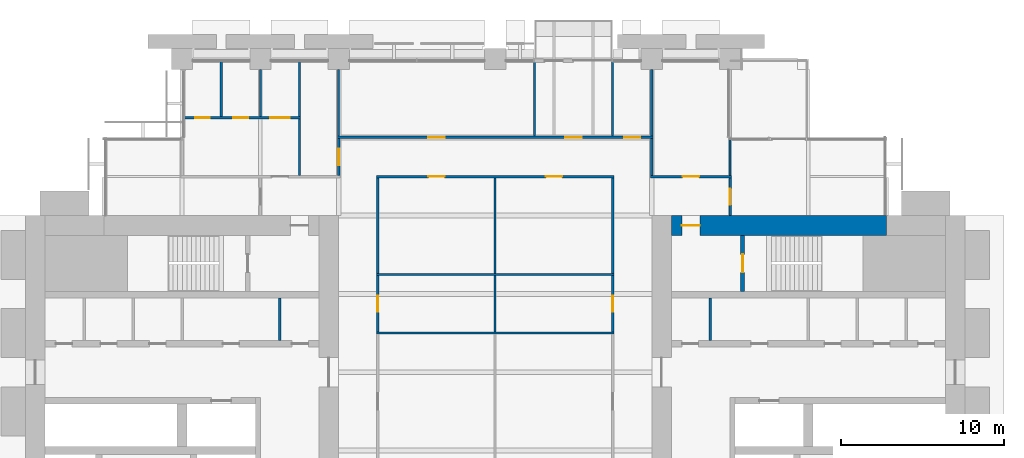
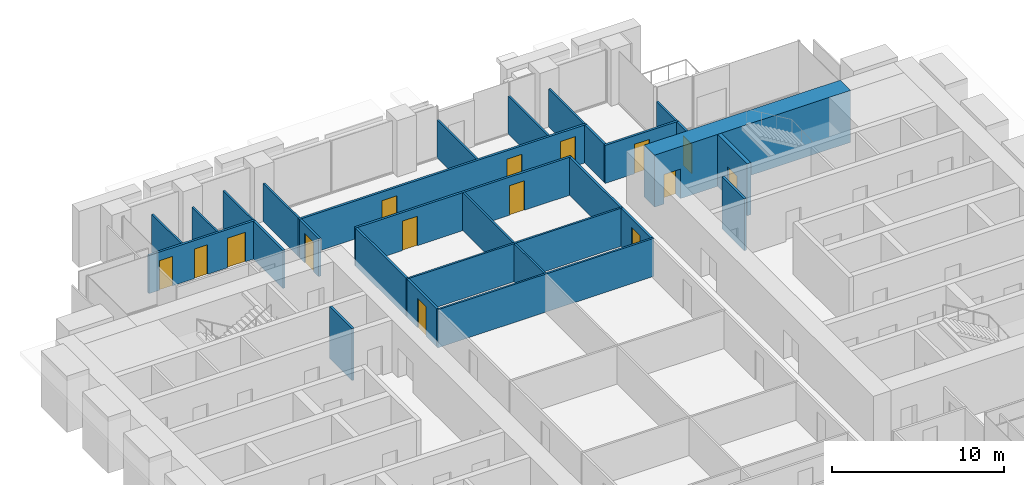
# One storey, part 12 of 15: 28 walls, 15 doors, 15 openings.
"""IFC4 building model written with IfcOpenShell, lengths in metres."""

from ifc_helpers import new_model, si_unit, direction, frame, frame_2d, origin, place, context, subcontext, project, spatial, rectangle, extrude, material, layer, layer_set, type_object, element, fill, save


model = new_model("IFC4")

# Units and contexts
model_context = context("Model", 3, precision=1e-05, world=origin(), true_north=direction((0.0, 1.0)))
body_context = subcontext(model_context, "Body", "Model", "MODEL_VIEW")
ifc_project = project(units=[si_unit("LENGTHUNIT", "METRE"), si_unit("AREAUNIT", "SQUARE_METRE"), si_unit("VOLUMEUNIT", "CUBIC_METRE"), si_unit("PLANEANGLEUNIT", "RADIAN"), si_unit("MASSUNIT", "GRAM", prefix="KILO")], contexts=[model_context])

# Site, building, storey
site_placement = place(None, origin())
site = spatial("IfcSite", under=ifc_project, at=site_placement, CompositionType="ELEMENT")
building_placement = place(site_placement, origin())
building = spatial("IfcBuilding", under=site, at=building_placement, Name="Baori Bourse Tower", CompositionType="ELEMENT")
storey_placement = place(building_placement, frame((0.0, 0.0, 83.0)))
storey = spatial("IfcBuildingStorey", under=building, at=storey_placement, Name="L18", CompositionType="ELEMENT", Elevation=83.0)

# Walls
ifc_material_1 = material(Name="Blockwork partition", Category="masonry")
ifc_layer_1 = layer(ifc_material_1, 0.14990234375)
ifc_layer_set_1 = layer_set([ifc_layer_1], Name="Core partition 150")
wall_type_1 = type_object("IfcWallType", Name="Core partition 150", PredefinedType="PARTITIONING", material=ifc_layer_set_1)
for number, where, z_axis, x_axis, name in (
    (1, (15.60009765625, 30.75, 0.0), (0.0, 0.0, 1.0), (0.0, 1.0, 0.0), "Partition wall W21"),
    (2, (42.0, 30.75, 0.0), (0.0, 0.0, 1.0), (0.0, 1.0, 0.0), "Partition wall E21"),
):
    element("IfcWall", number, at=place(storey_placement, frame(where, z_axis=z_axis, x_axis=x_axis)), inside=storey, type_object=wall_type_1, Name=name, PredefinedType="PARTITIONING", context=body_context, shape_type="SweptSolid", body=[
        extrude(rectangle(XDim=2.60009765625, YDim=0.14990234375, at=frame_2d((1.300048828125, 0.0))), origin(), (0.0, 0.0, 1.0), 3.699951171875),
    ])

# Wall, opening, door
ifc_material_2 = material(Name="Concrete f'c 70 MPa", Category="concrete")
ifc_layer_2 = layer(ifc_material_2, 1.199951171875)
ifc_layer_set_2 = layer_set([ifc_layer_2], Name="Core wall 1200 f'c 70")
wall_type_2 = type_object("IfcWallType", Name="Core wall 1200 f'c 70", PredefinedType="SHEAR", material=ifc_layer_set_2)
wall_1_placement = place(storey_placement, frame((39.60009765625, 37.800048828125, 0.0), z_axis=(0.0, 0.0, 1.0), x_axis=(1.0, 0.0, 0.0)))
wall_1 = element("IfcWall", 3, at=wall_1_placement, inside=storey, type_object=wall_type_2, Name="Core wall E26", PredefinedType="SHEAR", context=body_context, shape_type="SweptSolid", body=[
    extrude(rectangle(XDim=13.199951171875, YDim=1.199951171875, at=frame_2d((6.60009765625, 0.0))), origin(), (0.0, 0.0, 1.0), 3.699951171875),
])
opening_1_placement = place(wall_1_placement, frame((0.64990234375, 0.0, 0.0)))
opening_1 = element("IfcOpeningElement", 4, at=opening_1_placement, cuts=wall_1, Name="Opening L18-D204", PredefinedType="OPENING", context=body_context, shape_type="SweptSolid", body=[
    extrude(rectangle(XDim=1.10009765625, YDim=2.10009765625, at=frame_2d((0.550048828125, 1.050048828125))), frame((0.0, 0.60986328125, 0.0), z_axis=(0.0, -1.0, 0.0), x_axis=(1.0, 0.0, 0.0)), (0.0, 0.0, 1.0), 1.219970703125),
])
ifc_material_3 = material(Name="Painted steel door", Category="steel")
door_type_1 = type_object("IfcDoorType", Name="Stair door 1100", OperationType="SINGLE_SWING_LEFT", PredefinedType="DOOR", material=ifc_material_3)
door_1_placement = place(opening_1_placement, origin())
door_1 = element("IfcDoor", 5, at=door_1_placement, inside=storey, type_object=door_type_1, Name="Stair vestibule door B E L18", OperationType="SINGLE_SWING_LEFT", OverallHeight=2.10009765625, OverallWidth=1.10009765625, PredefinedType="DOOR", context=body_context, shape_type="SweptSolid", body=[
    extrude(rectangle(XDim=1.10009765625, YDim=2.10009765625, at=frame_2d((0.550048828125, 1.050048828125))), frame((0.0, 0.02490234375, 0.0), z_axis=(0.0, -1.0, 0.0), x_axis=(1.0, 0.0, 0.0)), (0.0, 0.0, 1.0), 0.050048828125),
])
fill(opening_1, door_1)

# Wall, openings, doors
ifc_material_4 = material(Name="Gypsum board partition")
ifc_layer_3 = layer(ifc_material_4, 0.14990234375)
ifc_layer_set_3 = layer_set([ifc_layer_3], Name="Corridor partition 150")
wall_type_3 = type_object("IfcWallType", Name="Corridor partition 150", PredefinedType="PARTITIONING", material=ifc_layer_set_3)
wall_2_placement = place(storey_placement, frame((21.52490234375, 40.800048828125, 0.0), z_axis=(0.0, 0.0, 1.0), x_axis=(1.0, 0.0, 0.0)))
wall_2 = element("IfcWall", 6, at=wall_2_placement, inside=storey, type_object=wall_type_3, Name="Partition", PredefinedType="PARTITIONING", context=body_context, shape_type="SweptSolid", body=[
    extrude(rectangle(XDim=14.550048828125, YDim=0.14990234375, at=frame_2d((7.27490234375, 0.0))), origin(), (0.0, 0.0, 1.0), 2.70947265625),
])
opening_2_placement = place(wall_2_placement, frame((3.175048828125, 0.0, 0.0)))
opening_2 = element("IfcOpeningElement", 7, at=opening_2_placement, cuts=wall_2, Name="Opening L18-D09", PredefinedType="OPENING", context=body_context, shape_type="SweptSolid", body=[
    extrude(rectangle(XDim=1.0, YDim=2.10009765625, at=frame_2d((0.5, 1.050048828125))), frame((0.0, 0.0849609375, 0.0), z_axis=(0.0, -1.0, 0.0), x_axis=(1.0, 0.0, 0.0)), (0.0, 0.0, 1.0), 0.169921875),
])
opening_3_placement = place(wall_2_placement, frame((10.375, 0.0, 0.0)))
opening_3 = element("IfcOpeningElement", 8, at=opening_3_placement, cuts=wall_2, Name="Opening L18-D10", PredefinedType="OPENING", context=body_context, shape_type="SweptSolid", body=[
    extrude(rectangle(XDim=1.0, YDim=2.10009765625, at=frame_2d((0.5, 1.050048828125))), frame((0.0, 0.0849609375, 0.0), z_axis=(0.0, -1.0, 0.0), x_axis=(1.0, 0.0, 0.0)), (0.0, 0.0, 1.0), 0.169921875),
])
ifc_material_5 = material(Name="Timber door leaf", Category="wood")
door_type_2 = type_object("IfcDoorType", Name="Door 1000 x 2100", OperationType="SINGLE_SWING_LEFT", PredefinedType="DOOR", material=ifc_material_5)
door_2_placement = place(opening_2_placement, origin())
door_2 = element("IfcDoor", 9, at=door_2_placement, inside=storey, type_object=door_type_2, Name="Door", OperationType="SINGLE_SWING_LEFT", OverallHeight=2.10009765625, OverallWidth=1.0, PredefinedType="DOOR", context=body_context, shape_type="SweptSolid", body=[
    extrude(rectangle(XDim=1.0, YDim=2.10009765625, at=frame_2d((0.5, 1.050048828125))), frame((0.0, 0.02490234375, 0.0), z_axis=(0.0, -1.0, 0.0), x_axis=(1.0, 0.0, 0.0)), (0.0, 0.0, 1.0), 0.050048828125),
])
fill(opening_2, door_2)
door_3_placement = place(opening_3_placement, origin())
door_3 = element("IfcDoor", 10, at=door_3_placement, inside=storey, type_object=door_type_2, Name="Door", OperationType="SINGLE_SWING_RIGHT", OverallHeight=2.10009765625, OverallWidth=1.0, PredefinedType="DOOR", context=body_context, shape_type="SweptSolid", body=[
    extrude(rectangle(XDim=1.0, YDim=2.10009765625, at=frame_2d((0.5, 1.050048828125))), frame((0.0, 0.02490234375, 0.0), z_axis=(0.0, -1.0, 0.0), x_axis=(1.0, 0.0, 0.0)), (0.0, 0.0, 1.0), 0.050048828125),
])
fill(opening_3, door_3)

# Wall, opening, door
wall_3_placement = place(storey_placement, frame((38.324951171875, 40.800048828125, 0.0), z_axis=(0.0, 0.0, 1.0), x_axis=(1.0, 0.0, 0.0)))
wall_3 = element("IfcWall", 11, at=wall_3_placement, inside=storey, type_object=wall_type_3, Name="Partition", PredefinedType="PARTITIONING", context=body_context, shape_type="SweptSolid", body=[
    extrude(rectangle(XDim=4.949951171875, YDim=0.14990234375, at=frame_2d((2.47509765625, 0.0))), origin(), (0.0, 0.0, 1.0), 2.70947265625),
])
opening_4_placement = place(wall_3_placement, frame((1.97509765625, 0.0, 0.0)))
opening_4 = element("IfcOpeningElement", 12, at=opening_4_placement, cuts=wall_3, Name="Opening L18-D11", PredefinedType="OPENING", context=body_context, shape_type="SweptSolid", body=[
    extrude(rectangle(XDim=1.0, YDim=2.10009765625, at=frame_2d((0.5, 1.050048828125))), frame((0.0, 0.0849609375, 0.0), z_axis=(0.0, -1.0, 0.0), x_axis=(1.0, 0.0, 0.0)), (0.0, 0.0, 1.0), 0.169921875),
])
door_4_placement = place(opening_4_placement, origin())
door_4 = element("IfcDoor", 13, at=door_4_placement, inside=storey, type_object=door_type_2, Name="Door", OperationType="SINGLE_SWING_RIGHT", OverallHeight=2.10009765625, OverallWidth=1.0, PredefinedType="DOOR", context=body_context, shape_type="SweptSolid", body=[
    extrude(rectangle(XDim=1.0, YDim=2.10009765625, at=frame_2d((0.5, 1.050048828125))), frame((0.0, 0.02490234375, 0.0), z_axis=(0.0, -1.0, 0.0), x_axis=(1.0, 0.0, 0.0)), (0.0, 0.0, 1.0), 0.050048828125),
])
fill(opening_4, door_4)

# Wall, openings, doors
wall_4_placement = place(storey_placement, frame((19.125, 43.199951171875, 0.0), z_axis=(0.0, 0.0, 1.0), x_axis=(1.0, 0.0, 0.0)))
wall_4 = element("IfcWall", 14, at=wall_4_placement, inside=storey, type_object=wall_type_3, Name="Partition", PredefinedType="PARTITIONING", context=body_context, shape_type="SweptSolid", body=[
    extrude(rectangle(XDim=19.35009765625, YDim=0.14990234375, at=frame_2d((9.675048828125, 0.0))), origin(), (0.0, 0.0, 1.0), 2.70947265625),
])
opening_5_placement = place(wall_4_placement, frame((5.574951171875, 0.0, 0.0)))
opening_5 = element("IfcOpeningElement", 15, at=opening_5_placement, cuts=wall_4, Name="Opening L18-D12", PredefinedType="OPENING", context=body_context, shape_type="SweptSolid", body=[
    extrude(rectangle(XDim=1.0, YDim=2.10009765625, at=frame_2d((0.5, 1.050048828125))), frame((0.0, 0.0849609375, 0.0), z_axis=(0.0, -1.0, 0.0), x_axis=(1.0, 0.0, 0.0)), (0.0, 0.0, 1.0), 0.169921875),
])
opening_6_placement = place(wall_4_placement, frame((13.97509765625, 0.0, 0.0)))
opening_6 = element("IfcOpeningElement", 16, at=opening_6_placement, cuts=wall_4, Name="Opening L18-D13", PredefinedType="OPENING", context=body_context, shape_type="SweptSolid", body=[
    extrude(rectangle(XDim=1.0, YDim=2.10009765625, at=frame_2d((0.5, 1.050048828125))), frame((0.0, 0.0849609375, 0.0), z_axis=(0.0, -1.0, 0.0), x_axis=(1.0, 0.0, 0.0)), (0.0, 0.0, 1.0), 0.169921875),
])
opening_7_placement = place(wall_4_placement, frame((17.574951171875, 0.0, 0.0)))
opening_7 = element("IfcOpeningElement", 17, at=opening_7_placement, cuts=wall_4, Name="Opening L18-D14", PredefinedType="OPENING", context=body_context, shape_type="SweptSolid", body=[
    extrude(rectangle(XDim=1.0, YDim=2.10009765625, at=frame_2d((0.5, 1.050048828125))), frame((0.0, 0.0849609375, 0.0), z_axis=(0.0, -1.0, 0.0), x_axis=(1.0, 0.0, 0.0)), (0.0, 0.0, 1.0), 0.169921875),
])
door_5_placement = place(opening_5_placement, origin())
door_5 = element("IfcDoor", 18, at=door_5_placement, inside=storey, type_object=door_type_2, Name="Door", OperationType="SINGLE_SWING_RIGHT", OverallHeight=2.10009765625, OverallWidth=1.0, PredefinedType="DOOR", context=body_context, shape_type="SweptSolid", body=[
    extrude(rectangle(XDim=1.0, YDim=2.10009765625, at=frame_2d((0.5, 1.050048828125))), frame((0.0, 0.02490234375, 0.0), z_axis=(0.0, -1.0, 0.0), x_axis=(1.0, 0.0, 0.0)), (0.0, 0.0, 1.0), 0.050048828125),
])
fill(opening_5, door_5)
door_6_placement = place(opening_6_placement, origin())
door_6 = element("IfcDoor", 19, at=door_6_placement, inside=storey, type_object=door_type_2, Name="Door", OperationType="SINGLE_SWING_LEFT", OverallHeight=2.10009765625, OverallWidth=1.0, PredefinedType="DOOR", context=body_context, shape_type="SweptSolid", body=[
    extrude(rectangle(XDim=1.0, YDim=2.10009765625, at=frame_2d((0.5, 1.050048828125))), frame((0.0, 0.02490234375, 0.0), z_axis=(0.0, -1.0, 0.0), x_axis=(1.0, 0.0, 0.0)), (0.0, 0.0, 1.0), 0.050048828125),
])
fill(opening_6, door_6)
door_7_placement = place(opening_7_placement, origin())
door_7 = element("IfcDoor", 20, at=door_7_placement, inside=storey, type_object=door_type_2, Name="Door", OperationType="SINGLE_SWING_LEFT", OverallHeight=2.10009765625, OverallWidth=1.0, PredefinedType="DOOR", context=body_context, shape_type="SweptSolid", body=[
    extrude(rectangle(XDim=1.0, YDim=2.10009765625, at=frame_2d((0.5, 1.050048828125))), frame((0.0, 0.02490234375, 0.0), z_axis=(0.0, -1.0, 0.0), x_axis=(1.0, 0.0, 0.0)), (0.0, 0.0, 1.0), 0.050048828125),
])
fill(opening_7, door_7)

wall_5_placement = place(storey_placement, frame((9.699951171875, 44.39990234375, 0.0), z_axis=(0.0, 0.0, 1.0), x_axis=(1.0, 0.0, 0.0)))
wall_5 = element("IfcWall", 21, at=wall_5_placement, inside=storey, type_object=wall_type_3, Name="Partition", PredefinedType="PARTITIONING", context=body_context, shape_type="SweptSolid", body=[
    extrude(rectangle(XDim=7.175048828125, YDim=0.14990234375, at=frame_2d((3.58740234375, 0.0))), origin(), (0.0, 0.0, 1.0), 2.70947265625),
])
opening_8_placement = place(wall_5_placement, frame((0.699951171875, 0.0, 0.0)))
opening_8 = element("IfcOpeningElement", 22, at=opening_8_placement, cuts=wall_5, Name="Opening L18-D15", PredefinedType="OPENING", context=body_context, shape_type="SweptSolid", body=[
    extrude(rectangle(XDim=0.89990234375, YDim=2.10009765625, at=frame_2d((0.449951171875, 1.050048828125))), frame((0.0, 0.0849609375, 0.0), z_axis=(0.0, -1.0, 0.0), x_axis=(1.0, 0.0, 0.0)), (0.0, 0.0, 1.0), 0.169921875),
])
opening_9_placement = place(wall_5_placement, frame((3.050048828125, 0.0, 0.0)))
opening_9 = element("IfcOpeningElement", 23, at=opening_9_placement, cuts=wall_5, Name="Opening L18-D16", PredefinedType="OPENING", context=body_context, shape_type="SweptSolid", body=[
    extrude(rectangle(XDim=0.89990234375, YDim=2.10009765625, at=frame_2d((0.449951171875, 1.050048828125))), frame((0.0, 0.0849609375, 0.0), z_axis=(0.0, -1.0, 0.0), x_axis=(1.0, 0.0, 0.0)), (0.0, 0.0, 1.0), 0.169921875),
])
opening_10_placement = place(wall_5_placement, frame((5.300048828125, 0.0, 0.0)))
opening_10 = element("IfcOpeningElement", 24, at=opening_10_placement, cuts=wall_5, Name="Opening L18-D17", PredefinedType="OPENING", context=body_context, shape_type="SweptSolid", body=[
    extrude(rectangle(XDim=1.199951171875, YDim=2.10009765625, at=frame_2d((0.60009765625, 1.050048828125))), frame((0.0, 0.0849609375, 0.0), z_axis=(0.0, -1.0, 0.0), x_axis=(1.0, 0.0, 0.0)), (0.0, 0.0, 1.0), 0.169921875),
])
ifc_material_6 = material(Name="Timber door leaf", Category="wood")
door_type_3 = type_object("IfcDoorType", Name="Door 1200 x 2100", OperationType="SINGLE_SWING_LEFT", PredefinedType="DOOR", material=ifc_material_6)
door_8_placement = place(opening_10_placement, origin())
door_8 = element("IfcDoor", 25, at=door_8_placement, inside=storey, type_object=door_type_3, Name="Door", OperationType="SINGLE_SWING_LEFT", OverallHeight=2.10009765625, OverallWidth=1.199951171875, PredefinedType="DOOR", context=body_context, shape_type="SweptSolid", body=[
    extrude(rectangle(XDim=1.199951171875, YDim=2.10009765625, at=frame_2d((0.60009765625, 1.050048828125))), frame((0.0, 0.02490234375, 0.0), z_axis=(0.0, -1.0, 0.0), x_axis=(1.0, 0.0, 0.0)), (0.0, 0.0, 1.0), 0.050048828125),
])
fill(opening_10, door_8)
ifc_material_7 = material(Name="Timber door leaf", Category="wood")
door_type_4 = type_object("IfcDoorType", Name="Door 900 x 2100", OperationType="SINGLE_SWING_LEFT", PredefinedType="DOOR", material=ifc_material_7)
door_9_placement = place(opening_8_placement, origin())
door_9 = element("IfcDoor", 26, at=door_9_placement, inside=storey, type_object=door_type_4, Name="Door", OperationType="SINGLE_SWING_RIGHT", OverallHeight=2.10009765625, OverallWidth=0.89990234375, PredefinedType="DOOR", context=body_context, shape_type="SweptSolid", body=[
    extrude(rectangle(XDim=0.89990234375, YDim=2.10009765625, at=frame_2d((0.449951171875, 1.050048828125))), frame((0.0, 0.02490234375, 0.0), z_axis=(0.0, -1.0, 0.0), x_axis=(1.0, 0.0, 0.0)), (0.0, 0.0, 1.0), 0.050048828125),
])
fill(opening_8, door_9)
door_10_placement = place(opening_9_placement, origin())
door_10 = element("IfcDoor", 27, at=door_10_placement, inside=storey, type_object=door_type_4, Name="Door", OperationType="SINGLE_SWING_RIGHT", OverallHeight=2.10009765625, OverallWidth=0.89990234375, PredefinedType="DOOR", context=body_context, shape_type="SweptSolid", body=[
    extrude(rectangle(XDim=0.89990234375, YDim=2.10009765625, at=frame_2d((0.449951171875, 1.050048828125))), frame((0.0, 0.02490234375, 0.0), z_axis=(0.0, -1.0, 0.0), x_axis=(1.0, 0.0, 0.0)), (0.0, 0.0, 1.0), 0.050048828125),
])
fill(opening_9, door_10)

# Wall
wall_6_placement = place(storey_placement, frame((16.800048828125, 40.875, 0.0), z_axis=(0.0, 0.0, 1.0), x_axis=(0.0, 1.0, 0.0)))
element("IfcWall", 28, at=wall_6_placement, inside=storey, type_object=wall_type_3, Name="Partition", PredefinedType="PARTITIONING", context=body_context, shape_type="SweptSolid", body=[
    extrude(rectangle(XDim=3.449951171875, YDim=0.14990234375, at=frame_2d((1.72509765625, 0.0))), origin(), (0.0, 0.0, 1.0), 2.70947265625),
])

# Wall, opening, door
wall_7_placement = place(storey_placement, frame((19.199951171875, 40.875, 0.0), z_axis=(0.0, 0.0, 1.0), x_axis=(0.0, 1.0, 0.0)))
wall_7 = element("IfcWall", 29, at=wall_7_placement, inside=storey, type_object=wall_type_3, Name="Partition", PredefinedType="PARTITIONING", context=body_context, shape_type="SweptSolid", body=[
    extrude(rectangle(XDim=2.25, YDim=0.14990234375, at=frame_2d((1.125, 0.0))), origin(), (0.0, 0.0, 1.0), 2.70947265625),
])
opening_11_placement = place(wall_7_placement, frame((0.625, 0.0, 0.0)))
opening_11 = element("IfcOpeningElement", 30, at=opening_11_placement, cuts=wall_7, Name="Opening L18-D20", PredefinedType="OPENING", context=body_context, shape_type="SweptSolid", body=[
    extrude(rectangle(XDim=1.0, YDim=2.10009765625, at=frame_2d((0.5, 1.050048828125))), frame((0.0, 0.0849609375, 0.0), z_axis=(0.0, -1.0, 0.0), x_axis=(1.0, 0.0, 0.0)), (0.0, 0.0, 1.0), 0.169921875),
])
door_11_placement = place(opening_11_placement, origin())
door_11 = element("IfcDoor", 31, at=door_11_placement, inside=storey, type_object=door_type_2, Name="Door", OperationType="SINGLE_SWING_RIGHT", OverallHeight=2.10009765625, OverallWidth=1.0, PredefinedType="DOOR", context=body_context, shape_type="SweptSolid", body=[
    extrude(rectangle(XDim=1.0, YDim=2.10009765625, at=frame_2d((0.5, 1.050048828125))), frame((0.0, 0.02490234375, 0.0), z_axis=(0.0, -1.0, 0.0), x_axis=(1.0, 0.0, 0.0)), (0.0, 0.0, 1.0), 0.050048828125),
])
fill(opening_11, door_11)

wall_8_placement = place(storey_placement, frame((21.60009765625, 31.262451171875, 0.0), z_axis=(0.0, 0.0, 1.0), x_axis=(0.0, 1.0, 0.0)))
wall_8 = element("IfcWall", 32, at=wall_8_placement, inside=storey, type_object=wall_type_3, Name="Partition", PredefinedType="PARTITIONING", context=body_context, shape_type="SweptSolid", body=[
    extrude(rectangle(XDim=3.47509765625, YDim=0.14990234375, at=frame_2d((1.737548828125, 0.0))), origin(), (0.0, 0.0, 1.0), 2.70947265625),
])
opening_12_placement = place(wall_8_placement, frame((1.237548828125, 0.0, 0.0)))
opening_12 = element("IfcOpeningElement", 33, at=opening_12_placement, cuts=wall_8, Name="Opening L18-D24", PredefinedType="OPENING", context=body_context, shape_type="SweptSolid", body=[
    extrude(rectangle(XDim=1.0, YDim=2.10009765625, at=frame_2d((0.5, 1.050048828125))), frame((0.0, 0.0849609375, 0.0), z_axis=(0.0, -1.0, 0.0), x_axis=(1.0, 0.0, 0.0)), (0.0, 0.0, 1.0), 0.169921875),
])
door_12_placement = place(opening_12_placement, origin())
door_12 = element("IfcDoor", 34, at=door_12_placement, inside=storey, type_object=door_type_2, Name="Door", OperationType="SINGLE_SWING_RIGHT", OverallHeight=2.10009765625, OverallWidth=1.0, PredefinedType="DOOR", context=body_context, shape_type="SweptSolid", body=[
    extrude(rectangle(XDim=1.0, YDim=2.10009765625, at=frame_2d((0.5, 1.050048828125))), frame((0.0, 0.02490234375, 0.0), z_axis=(0.0, -1.0, 0.0), x_axis=(1.0, 0.0, 0.0)), (0.0, 0.0, 1.0), 0.050048828125),
])
fill(opening_12, door_12)

# Wall
wall_9_placement = place(storey_placement, frame((21.60009765625, 34.862548828125, 0.0), z_axis=(0.0, 0.0, 1.0), x_axis=(0.0, 1.0, 0.0)))
element("IfcWall", 35, at=wall_9_placement, inside=storey, type_object=wall_type_3, Name="Partition", PredefinedType="PARTITIONING", context=body_context, shape_type="SweptSolid", body=[
    extrude(rectangle(XDim=5.862548828125, YDim=0.14990234375, at=frame_2d((2.93115234375, 0.0))), origin(), (0.0, 0.0, 1.0), 2.70947265625),
])

# Wall, opening, door
wall_10_placement = place(storey_placement, frame((36.0, 31.262451171875, 0.0), z_axis=(0.0, 0.0, 1.0), x_axis=(0.0, 1.0, 0.0)))
wall_10 = element("IfcWall", 36, at=wall_10_placement, inside=storey, type_object=wall_type_3, Name="Partition", PredefinedType="PARTITIONING", context=body_context, shape_type="SweptSolid", body=[
    extrude(rectangle(XDim=3.47509765625, YDim=0.14990234375, at=frame_2d((1.737548828125, 0.0))), origin(), (0.0, 0.0, 1.0), 2.70947265625),
])
opening_13_placement = place(wall_10_placement, frame((1.237548828125, 0.0, 0.0)))
opening_13 = element("IfcOpeningElement", 37, at=opening_13_placement, cuts=wall_10, Name="Opening L18-D28", PredefinedType="OPENING", context=body_context, shape_type="SweptSolid", body=[
    extrude(rectangle(XDim=1.0, YDim=2.10009765625, at=frame_2d((0.5, 1.050048828125))), frame((0.0, 0.0849609375, 0.0), z_axis=(0.0, -1.0, 0.0), x_axis=(1.0, 0.0, 0.0)), (0.0, 0.0, 1.0), 0.169921875),
])
door_13_placement = place(opening_13_placement, origin())
door_13 = element("IfcDoor", 38, at=door_13_placement, inside=storey, type_object=door_type_2, Name="Door", OperationType="SINGLE_SWING_LEFT", OverallHeight=2.10009765625, OverallWidth=1.0, PredefinedType="DOOR", context=body_context, shape_type="SweptSolid", body=[
    extrude(rectangle(XDim=1.0, YDim=2.10009765625, at=frame_2d((0.5, 1.050048828125))), frame((0.0, 0.02490234375, 0.0), z_axis=(0.0, -1.0, 0.0), x_axis=(1.0, 0.0, 0.0)), (0.0, 0.0, 1.0), 0.050048828125),
])
fill(opening_13, door_13)

# Walls
wall_11_placement = place(storey_placement, frame((36.0, 34.862548828125, 0.0), z_axis=(0.0, 0.0, 1.0), x_axis=(0.0, 1.0, 0.0)))
element("IfcWall", 39, at=wall_11_placement, inside=storey, type_object=wall_type_3, Name="Partition", PredefinedType="PARTITIONING", context=body_context, shape_type="SweptSolid", body=[
    extrude(rectangle(XDim=5.862548828125, YDim=0.14990234375, at=frame_2d((2.93115234375, 0.0))), origin(), (0.0, 0.0, 1.0), 2.70947265625),
])
wall_12_placement = place(storey_placement, frame((38.39990234375, 40.875, 0.0), z_axis=(0.0, 0.0, 1.0), x_axis=(0.0, 1.0, 0.0)))
element("IfcWall", 40, at=wall_12_placement, inside=storey, type_object=wall_type_3, Name="Partition", PredefinedType="PARTITIONING", context=body_context, shape_type="SweptSolid", body=[
    extrude(rectangle(XDim=2.25, YDim=0.14990234375, at=frame_2d((1.125, 0.0))), origin(), (0.0, 0.0, 1.0), 2.70947265625),
])

# Wall, opening, door
wall_13_placement = place(storey_placement, frame((43.199951171875, 38.39990234375, 0.0), z_axis=(0.0, 0.0, 1.0), x_axis=(0.0, 1.0, 0.0)))
wall_13 = element("IfcWall", 41, at=wall_13_placement, inside=storey, type_object=wall_type_3, Name="Partition", PredefinedType="PARTITIONING", context=body_context, shape_type="SweptSolid", body=[
    extrude(rectangle(XDim=2.3251953125, YDim=0.14990234375, at=frame_2d((1.16259765625, 0.0))), origin(), (0.0, 0.0, 1.0), 2.70947265625),
])
opening_14_placement = place(wall_13_placement, frame((0.66259765625, 0.0, 0.0)))
opening_14 = element("IfcOpeningElement", 42, at=opening_14_placement, cuts=wall_13, Name="Opening L18-D30", PredefinedType="OPENING", context=body_context, shape_type="SweptSolid", body=[
    extrude(rectangle(XDim=1.0, YDim=2.10009765625, at=frame_2d((0.5, 1.050048828125))), frame((0.0, 0.0849609375, 0.0), z_axis=(0.0, -1.0, 0.0), x_axis=(1.0, 0.0, 0.0)), (0.0, 0.0, 1.0), 0.169921875),
])
door_14_placement = place(opening_14_placement, origin())
door_14 = element("IfcDoor", 43, at=door_14_placement, inside=storey, type_object=door_type_2, Name="Door", OperationType="SINGLE_SWING_LEFT", OverallHeight=2.10009765625, OverallWidth=1.0, PredefinedType="DOOR", context=body_context, shape_type="SweptSolid", body=[
    extrude(rectangle(XDim=1.0, YDim=2.10009765625, at=frame_2d((0.5, 1.050048828125))), frame((0.0, 0.02490234375, 0.0), z_axis=(0.0, -1.0, 0.0), x_axis=(1.0, 0.0, 0.0)), (0.0, 0.0, 1.0), 0.050048828125),
])
fill(opening_14, door_14)

# Walls
ifc_material_8 = material(Name="Gypsum board partition")
ifc_layer_4 = layer(ifc_material_8, 0.125)
ifc_layer_set_4 = layer_set([ifc_layer_4], Name="Partition 125")
wall_type_4 = type_object("IfcWallType", Name="Partition 125", PredefinedType="PARTITIONING", material=ifc_layer_set_4)
for number, where, z_axis, x_axis, name in (
    (44, (21.52490234375, 31.199951171875, 0.0), (0.0, 0.0, 1.0), (1.0, 0.0, 0.0), "Partition"),
    (45, (21.52490234375, 34.800048828125, 0.0), (0.0, 0.0, 1.0), (1.0, 0.0, 0.0), "Partition"),
):
    element("IfcWall", number, at=place(storey_placement, frame(where, z_axis=z_axis, x_axis=x_axis)), inside=storey, type_object=wall_type_4, Name=name, PredefinedType="PARTITIONING", context=body_context, shape_type="SweptSolid", body=[
        extrude(rectangle(XDim=14.550048828125, YDim=0.125, at=frame_2d((7.27490234375, 0.0))), origin(), (0.0, 0.0, 1.0), 2.70947265625),
    ])
wall_14_placement = place(storey_placement, frame((12.0, 44.47509765625, 0.0), z_axis=(0.0, 0.0, 1.0), x_axis=(0.0, 1.0, 0.0)))
element("IfcWall", 46, at=wall_14_placement, inside=storey, type_object=wall_type_4, Name="Partition", PredefinedType="PARTITIONING", context=body_context, shape_type="SweptSolid", body=[
    extrude(rectangle(XDim=3.4248046875, YDim=0.125, at=frame_2d((1.71240234375, 0.0))), origin(), (0.0, 0.0, 1.0), 2.70947265625),
])
wall_15_placement = place(storey_placement, frame((14.39990234375, 44.47509765625, 0.0), z_axis=(0.0, 0.0, 1.0), x_axis=(0.0, 1.0, 0.0)))
element("IfcWall", 47, at=wall_15_placement, inside=storey, type_object=wall_type_4, Name="Partition", PredefinedType="PARTITIONING", context=body_context, shape_type="SweptSolid", body=[
    extrude(rectangle(XDim=2.875, YDim=0.125, at=frame_2d((1.4375, 0.0))), origin(), (0.0, 0.0, 1.0), 2.70947265625),
])
wall_16_placement = place(storey_placement, frame((16.800048828125, 44.47509765625, 0.0), z_axis=(0.0, 0.0, 1.0), x_axis=(0.0, 1.0, 0.0)))
element("IfcWall", 48, at=wall_16_placement, inside=storey, type_object=wall_type_4, Name="Partition", PredefinedType="PARTITIONING", context=body_context, shape_type="SweptSolid", body=[
    extrude(rectangle(XDim=3.4248046875, YDim=0.125, at=frame_2d((1.71240234375, 0.0))), origin(), (0.0, 0.0, 1.0), 2.70947265625),
])
wall_17_placement = place(storey_placement, frame((19.199951171875, 43.27490234375, 0.0), z_axis=(0.0, 0.0, 1.0), x_axis=(0.0, 1.0, 0.0)))
element("IfcWall", 49, at=wall_17_placement, inside=storey, type_object=wall_type_4, Name="Partition", PredefinedType="PARTITIONING", context=body_context, shape_type="SweptSolid", body=[
    extrude(rectangle(XDim=4.0751953125, YDim=0.125, at=frame_2d((2.03759765625, 0.0))), origin(), (0.0, 0.0, 1.0), 2.70947265625),
])
wall_18_placement = place(storey_placement, frame((28.800048828125, 31.262451171875, 0.0), z_axis=(0.0, 0.0, 1.0), x_axis=(0.0, 1.0, 0.0)))
element("IfcWall", 50, at=wall_18_placement, inside=storey, type_object=wall_type_4, Name="Partition", PredefinedType="PARTITIONING", context=body_context, shape_type="SweptSolid", body=[
    extrude(rectangle(XDim=3.47509765625, YDim=0.125, at=frame_2d((1.737548828125, 0.0))), origin(), (0.0, 0.0, 1.0), 2.70947265625),
])
wall_19_placement = place(storey_placement, frame((28.800048828125, 34.862548828125, 0.0), z_axis=(0.0, 0.0, 1.0), x_axis=(0.0, 1.0, 0.0)))
element("IfcWall", 51, at=wall_19_placement, inside=storey, type_object=wall_type_4, Name="Partition", PredefinedType="PARTITIONING", context=body_context, shape_type="SweptSolid", body=[
    extrude(rectangle(XDim=5.862548828125, YDim=0.125, at=frame_2d((2.93115234375, 0.0))), origin(), (0.0, 0.0, 1.0), 2.70947265625),
])
for number, where, z_axis, x_axis, name in (
    (52, (31.199951171875, 43.27490234375, 0.0), (0.0, 0.0, 1.0), (0.0, 1.0, 0.0), "Partition"),
    (53, (36.0, 43.27490234375, 0.0), (0.0, 0.0, 1.0), (0.0, 1.0, 0.0), "Partition"),
):
    element("IfcWall", number, at=place(storey_placement, frame(where, z_axis=z_axis, x_axis=x_axis)), inside=storey, type_object=wall_type_4, Name=name, PredefinedType="PARTITIONING", context=body_context, shape_type="SweptSolid", body=[
        extrude(rectangle(XDim=4.625, YDim=0.125, at=frame_2d((2.3125, 0.0))), origin(), (0.0, 0.0, 1.0), 2.70947265625),
    ])
wall_20_placement = place(storey_placement, frame((38.39990234375, 43.27490234375, 0.0), z_axis=(0.0, 0.0, 1.0), x_axis=(0.0, 1.0, 0.0)))
element("IfcWall", 54, at=wall_20_placement, inside=storey, type_object=wall_type_4, Name="Partition", PredefinedType="PARTITIONING", context=body_context, shape_type="SweptSolid", body=[
    extrude(rectangle(XDim=4.0751953125, YDim=0.125, at=frame_2d((2.03759765625, 0.0))), origin(), (0.0, 0.0, 1.0), 2.70947265625),
])
wall_21_placement = place(storey_placement, frame((43.199951171875, 40.875, 0.0), z_axis=(0.0, 0.0, 1.0), x_axis=(0.0, 1.0, 0.0)))
element("IfcWall", 55, at=wall_21_placement, inside=storey, type_object=wall_type_4, Name="Partition", PredefinedType="PARTITIONING", context=body_context, shape_type="SweptSolid", body=[
    extrude(rectangle(XDim=2.22509765625, YDim=0.125, at=frame_2d((1.112548828125, 0.0))), origin(), (0.0, 0.0, 1.0), 2.70947265625),
])

# Wall, opening, door
ifc_material_9 = material(Name="Concrete f'c 70 MPa", Category="concrete")
ifc_layer_5 = layer(ifc_material_9, 0.25)
ifc_layer_set_5 = layer_set([ifc_layer_5], Name="Shaft wall 250 f'c 70")
wall_type_5 = type_object("IfcWallType", Name="Shaft wall 250 f'c 70", PredefinedType="SHEAR", material=ifc_layer_set_5)
wall_22_placement = place(storey_placement, frame((43.97509765625, 33.75, 0.0), z_axis=(0.0, 0.0, 1.0), x_axis=(0.0, 1.0, 0.0)))
wall_22 = element("IfcWall", 56, at=wall_22_placement, inside=storey, type_object=wall_type_5, Name="Core wall E24", PredefinedType="SHEAR", context=body_context, shape_type="SweptSolid", body=[
    extrude(rectangle(XDim=3.449951171875, YDim=0.25, at=frame_2d((1.72509765625, 0.0))), origin(), (0.0, 0.0, 1.0), 3.699951171875),
])
opening_15_placement = place(wall_22_placement, frame((1.175048828125, 0.0, 0.0)))
opening_15 = element("IfcOpeningElement", 57, at=opening_15_placement, cuts=wall_22, Name="Opening L18-D203", PredefinedType="OPENING", context=body_context, shape_type="SweptSolid", body=[
    extrude(rectangle(XDim=1.10009765625, YDim=2.10009765625, at=frame_2d((0.550048828125, 1.050048828125))), frame((0.0, 0.135009765625, 0.0), z_axis=(0.0, -1.0, 0.0), x_axis=(1.0, 0.0, 0.0)), (0.0, 0.0, 1.0), 0.27001953125),
])
door_15_placement = place(opening_15_placement, origin())
door_15 = element("IfcDoor", 58, at=door_15_placement, inside=storey, type_object=door_type_1, Name="Stair door B E L18", OperationType="SINGLE_SWING_LEFT", OverallHeight=2.10009765625, OverallWidth=1.10009765625, PredefinedType="DOOR", context=body_context, shape_type="SweptSolid", body=[
    extrude(rectangle(XDim=1.10009765625, YDim=2.10009765625, at=frame_2d((0.550048828125, 1.050048828125))), frame((0.0, 0.02490234375, 0.0), z_axis=(0.0, -1.0, 0.0), x_axis=(1.0, 0.0, 0.0)), (0.0, 0.0, 1.0), 0.050048828125),
])
fill(opening_15, door_15)

save(model, "model.ifc")
